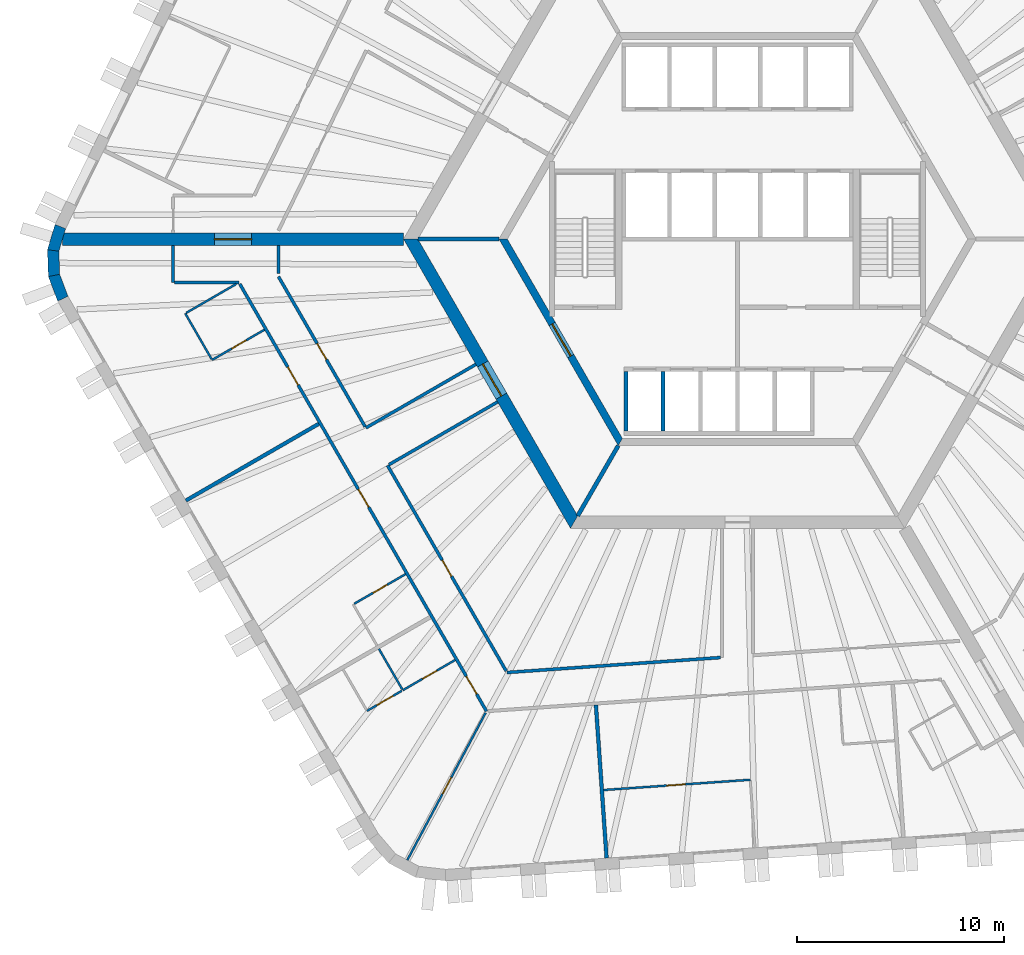
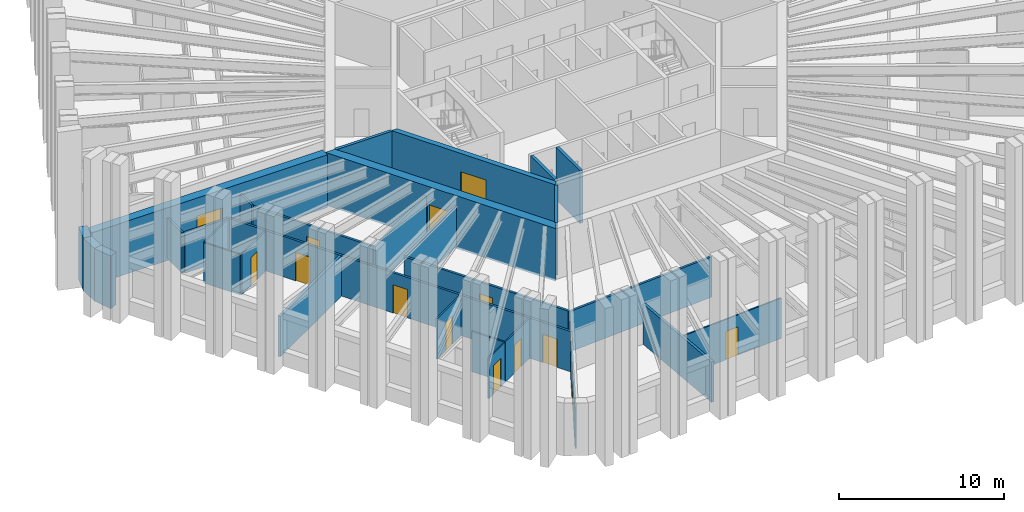
# One storey, part 3 of 13: 30 walls, 14 doors, 14 openings.
"""IFC4 building model written with IfcOpenShell, lengths in metres."""

from ifc_helpers import new_model, si_unit, direction, frame, frame_2d, origin, place, context, subcontext, project, spatial, polyline, rectangle, outline, extrude, material, layer, layer_set, type_object, element, fill, save


model = new_model("IFC4")

# Units and contexts
model_context = context("Model", 3, precision=1e-05, world=origin(), true_north=direction((0.0, 1.0)))
body_context = subcontext(model_context, "Body", "Model", "MODEL_VIEW")
ifc_project = project(units=[si_unit("LENGTHUNIT", "METRE"), si_unit("AREAUNIT", "SQUARE_METRE"), si_unit("VOLUMEUNIT", "CUBIC_METRE"), si_unit("PLANEANGLEUNIT", "RADIAN"), si_unit("MASSUNIT", "GRAM", prefix="KILO")], contexts=[model_context])

# Site, building, storey
site_placement = place(None, origin())
site = spatial("IfcSite", under=ifc_project, at=site_placement, CompositionType="ELEMENT")
building_placement = place(site_placement, origin())
building = spatial("IfcBuilding", under=site, at=building_placement, Name="Tarnside Tower", CompositionType="ELEMENT")
storey_placement = place(building_placement, frame((0.0, 0.0, 111.60009765625)))
storey = spatial("IfcBuildingStorey", under=building, at=storey_placement, Name="L25", CompositionType="ELEMENT", Elevation=111.60009765625)

# Wall, opening, door
ifc_material_1 = material(Name="Gypsum board partition on steel studs", Category="steel")
ifc_layer_1 = layer(ifc_material_1, 0.10009765625)
ifc_layer_set_1 = layer_set([ifc_layer_1], Name="Bathroom wall 100")
wall_type_1 = type_object("IfcWallType", Name="Bathroom wall 100", PredefinedType="PARTITIONING", material=ifc_layer_set_1)
wall_1_placement = place(storey_placement, frame((-22.898193359375, -4.38916015625, 0.0), z_axis=(0.0, 0.0, 1.0), x_axis=(-0.866046596414, -0.499963291492, 0.0)))
wall_1 = element("IfcWall", 1, at=wall_1_placement, inside=storey, type_object=wall_type_1, Name="Bathroom wall 08100", PredefinedType="PARTITIONING", context=body_context, shape_type="SweptSolid", body=[
    extrude(rectangle(XDim=2.925048828125, YDim=0.10009765625, at=frame_2d((1.46240234375, 0.0))), origin(), (0.0, 0.0, 1.0), 2.98779296875),
])
opening_1_placement = place(wall_1_placement, frame((1.02490234375, 0.0, 0.0)))
opening_1 = element("IfcOpeningElement", 2, at=opening_1_placement, cuts=wall_1, Name="Opening D-B1", PredefinedType="OPENING", context=body_context, shape_type="SweptSolid", body=[
    extrude(rectangle(XDim=0.800048828125, YDim=2.10009765625, at=frame_2d((0.39990234375, 1.050048828125))), frame((0.0, 0.06005859375, 0.0), z_axis=(0.0, -1.0, 0.0), x_axis=(1.0, 0.0, 0.0)), (0.0, 0.0, 1.0), 0.1201171875),
])
ifc_material_2 = material(Name="Timber door leaf", Category="wood")
door_type_1 = type_object("IfcDoorType", Name="Bathroom door 800", OperationType="NOTDEFINED", PredefinedType="DOOR", material=ifc_material_2)
door_1_placement = place(opening_1_placement, origin())
door_1 = element("IfcDoor", 3, at=door_1_placement, inside=storey, type_object=door_type_1, Name="Bathroom door 08016", OperationType="SINGLE_SWING_RIGHT", OverallHeight=2.10009765625, OverallWidth=0.800048828125, PredefinedType="DOOR", context=body_context, shape_type="SweptSolid", body=[
    extrude(rectangle(XDim=0.800048828125, YDim=2.10009765625, at=frame_2d((0.39990234375, 1.050048828125))), frame((0.0, 0.02490234375, 0.0), z_axis=(0.0, -1.0, 0.0), x_axis=(1.0, 0.0, 0.0)), (0.0, 0.0, 1.0), 0.050048828125),
])
fill(opening_1, door_1)

# Walls
wall_2_placement = place(storey_placement, frame((-25.456298828125, -5.808349609375, 0.0), z_axis=(0.0, 0.0, 1.0), x_axis=(-0.499990435942, 0.866030925526, 0.0)))
element("IfcWall", 4, at=wall_2_placement, inside=storey, type_object=wall_type_1, Name="Bathroom wall 08101", PredefinedType="PARTITIONING", context=body_context, shape_type="SweptSolid", body=[
    extrude(rectangle(XDim=2.5498046875, YDim=0.10009765625, at=frame_2d((1.27490234375, 0.0))), origin(), (0.0, 0.0, 1.0), 2.98779296875),
])
wall_3_placement = place(storey_placement, frame((-26.68798828125, -3.574951171875, 0.0), z_axis=(0.0, 0.0, 1.0), x_axis=(0.866034573852, 0.49998411664, 0.0)))
element("IfcWall", 5, at=wall_3_placement, inside=storey, type_object=wall_type_1, Name="Bathroom wall 08102", PredefinedType="PARTITIONING", context=body_context, shape_type="SweptSolid", body=[
    extrude(rectangle(XDim=2.7998046875, YDim=0.10009765625, at=frame_2d((1.39990234375, 0.0))), origin(), (0.0, 0.0, 1.0), 2.98779296875),
])

# Wall, opening, door
wall_4_placement = place(storey_placement, frame((-18.55859375, -17.65576171875, 0.0), z_axis=(0.0, 0.0, 1.0), x_axis=(0.866039941686, 0.499974818771, 0.0)))
wall_4 = element("IfcWall", 6, at=wall_4_placement, inside=storey, type_object=wall_type_1, Name="Bathroom wall 08105", PredefinedType="PARTITIONING", context=body_context, shape_type="SweptSolid", body=[
    extrude(rectangle(XDim=2.875244140625, YDim=0.10009765625, at=frame_2d((1.4375, 0.0))), origin(), (0.0, 0.0, 1.0), 2.98779296875),
])
opening_2_placement = place(wall_4_placement, frame((1.050048828125, 0.0, 0.0)))
opening_2 = element("IfcOpeningElement", 7, at=opening_2_placement, cuts=wall_4, Name="Opening D-B1", PredefinedType="OPENING", context=body_context, shape_type="SweptSolid", body=[
    extrude(rectangle(XDim=0.800048828125, YDim=2.10009765625, at=frame_2d((0.39990234375, 1.050048828125))), frame((0.0, 0.06005859375, 0.0), z_axis=(0.0, -1.0, 0.0), x_axis=(1.0, 0.0, 0.0)), (0.0, 0.0, 1.0), 0.1201171875),
])
door_2_placement = place(opening_2_placement, origin())
door_2 = element("IfcDoor", 8, at=door_2_placement, inside=storey, type_object=door_type_1, Name="Bathroom door 08018", OperationType="SINGLE_SWING_LEFT", OverallHeight=2.10009765625, OverallWidth=0.800048828125, PredefinedType="DOOR", context=body_context, shape_type="SweptSolid", body=[
    extrude(rectangle(XDim=0.800048828125, YDim=2.10009765625, at=frame_2d((0.39990234375, 1.050048828125))), frame((0.0, 0.02490234375, 0.0), z_axis=(0.0, -1.0, 0.0), x_axis=(1.0, 0.0, 0.0)), (0.0, 0.0, 1.0), 0.050048828125),
])
fill(opening_2, door_2)

wall_5_placement = place(storey_placement, frame((-13.668701171875, -20.375244140625, 0.0), z_axis=(0.0, 0.0, 1.0), x_axis=(-0.866046596414, -0.499963291492, 0.0)))
wall_5 = element("IfcWall", 9, at=wall_5_placement, inside=storey, type_object=wall_type_1, Name="Bathroom wall 08109", PredefinedType="PARTITIONING", context=body_context, shape_type="SweptSolid", body=[
    extrude(rectangle(XDim=2.925048828125, YDim=0.10009765625, at=frame_2d((1.46240234375, 0.0))), origin(), (0.0, 0.0, 1.0), 2.98779296875),
])
opening_3_placement = place(wall_5_placement, frame((1.02490234375, 0.0, 0.0)))
opening_3 = element("IfcOpeningElement", 10, at=opening_3_placement, cuts=wall_5, Name="Opening D-B1", PredefinedType="OPENING", context=body_context, shape_type="SweptSolid", body=[
    extrude(rectangle(XDim=0.800048828125, YDim=2.10009765625, at=frame_2d((0.39990234375, 1.050048828125))), frame((0.0, 0.06005859375, 0.0), z_axis=(0.0, -1.0, 0.0), x_axis=(1.0, 0.0, 0.0)), (0.0, 0.0, 1.0), 0.1201171875),
])
door_3_placement = place(opening_3_placement, origin())
door_3 = element("IfcDoor", 11, at=door_3_placement, inside=storey, type_object=door_type_1, Name="Bathroom door 08020", OperationType="SINGLE_SWING_RIGHT", OverallHeight=2.10009765625, OverallWidth=0.800048828125, PredefinedType="DOOR", context=body_context, shape_type="SweptSolid", body=[
    extrude(rectangle(XDim=0.800048828125, YDim=2.10009765625, at=frame_2d((0.39990234375, 1.050048828125))), frame((0.0, 0.02490234375, 0.0), z_axis=(0.0, -1.0, 0.0), x_axis=(1.0, 0.0, 0.0)), (0.0, 0.0, 1.0), 0.050048828125),
])
fill(opening_3, door_3)

# Wall
wall_6_placement = place(storey_placement, frame((-17.356689453125, -19.837158203125, 0.0), z_axis=(0.0, 0.0, 1.0), x_axis=(0.49995000081, -0.866054268906, 0.0)))
element("IfcWall", 12, at=wall_6_placement, inside=storey, type_object=wall_type_1, Name="Bathroom wall 08113", PredefinedType="PARTITIONING", context=body_context, shape_type="SweptSolid", body=[
    extrude(rectangle(XDim=2.260009765625, YDim=0.10009765625, at=frame_2d((1.1298828125, 0.0))), origin(), (0.0, 0.0, 1.0), 2.98779296875),
])

# Wall, opening, door
ifc_material_3 = material(Name="Concrete C50/60", Category="concrete")
ifc_layer_2 = layer(ifc_material_3, 0.35009765625)
ifc_layer_set_2 = layer_set([ifc_layer_2], Name="Core block wall 350 C50/60")
wall_type_2 = type_object("IfcWallType", Name="Core block wall 350 C50/60", PredefinedType="SHEAR", material=ifc_layer_set_2)
wall_7_placement = place(storey_placement, frame((-11.344970703125, 0.0, -0.150146484375), z_axis=(0.0, 0.0, 1.0), x_axis=(0.499995046907, -0.866028263435, 0.0)))
wall_7 = element("IfcWall", 13, at=wall_7_placement, inside=storey, type_object=wall_type_2, Name="L25 core block wall face 3", PredefinedType="SHEAR", context=body_context, shape_type="SweptSolid", body=[
    extrude(outline(polyline([(-0.10107421875, -0.175048828125), (11.44580078125, -0.175048828125), (11.24365234375, 0.175048828125), (0.10107421875, 0.175048828125), (-0.10107421875, -0.175048828125)])), origin(), (0.0, 0.0, 1.0), 3.900146484375),
])
opening_4_placement = place(wall_7_placement, frame((4.74365234375, 0.0, 0.14990234375)))
opening_4 = element("IfcOpeningElement", 14, at=opening_4_placement, cuts=wall_7, Name="Opening CD-FFL", PredefinedType="OPENING", context=body_context, shape_type="SweptSolid", body=[
    extrude(rectangle(XDim=1.800048828125, YDim=2.39990234375, at=frame_2d((0.89990234375, 1.199951171875))), frame((0.0, 0.18505859375, 0.0), z_axis=(0.0, -1.0, 0.0), x_axis=(1.0, 0.0, 0.0)), (0.0, 0.0, 1.0), 0.3701171875),
])
ifc_material_4 = material(Name="Steel fire door", Category="steel")
door_type_2 = type_object("IfcDoorType", Name="Firefighting lobby double door FD60S 1800x2400", OperationType="NOTDEFINED", PredefinedType="DOOR", material=ifc_material_4)
door_4_placement = place(opening_4_placement, origin())
door_4 = element("IfcDoor", 15, at=door_4_placement, inside=storey, type_object=door_type_2, Name="L25 lobby block door P3", OperationType="DOUBLE_DOOR_SINGLE_SWING", OverallHeight=2.39990234375, OverallWidth=1.800048828125, PredefinedType="DOOR", context=body_context, shape_type="SweptSolid", body=[
    extrude(rectangle(XDim=1.800048828125, YDim=2.39990234375, at=frame_2d((0.89990234375, 1.199951171875))), frame((0.0, 0.02490234375, 0.0), z_axis=(0.0, -1.0, 0.0), x_axis=(1.0, 0.0, 0.0)), (0.0, 0.0, 1.0), 0.050048828125),
])
fill(opening_4, door_4)

ifc_material_5 = material(Name="Concrete C80/95", Category="concrete")
ifc_layer_3 = layer(ifc_material_5, 0.60009765625)
ifc_layer_set_3 = layer_set([ifc_layer_3], Name="Core wall Z1 600 C80/95")
wall_type_3 = type_object("IfcWallType", Name="Core wall Z1 600 C80/95", PredefinedType="SHEAR", material=ifc_layer_set_3)
wall_8_placement = place(storey_placement, frame((-15.8193359375, 0.0, -0.150146484375), z_axis=(0.0, 0.0, 1.0), x_axis=(0.499999880136, -0.866025472988, 0.0)))
wall_8 = element("IfcWall", 16, at=wall_8_placement, inside=storey, type_object=wall_type_3, Name="L25 core wall face 3", PredefinedType="SHEAR", context=body_context, shape_type="SweptSolid", body=[
    extrude(outline(polyline([(-0.17333984375, -0.300048828125), (15.99267578125, -0.300048828125), (15.64599609375, 0.300048828125), (0.17333984375, 0.300048828125), (-0.17333984375, -0.300048828125)])), origin(), (0.0, 0.0, 1.0), 3.900146484375),
])
opening_5_placement = place(wall_8_placement, frame((6.980712890625, 0.0, 0.14990234375)))
opening_5 = element("IfcOpeningElement", 17, at=opening_5_placement, cuts=wall_8, Name="Opening CD-FFL", PredefinedType="OPENING", context=body_context, shape_type="SweptSolid", body=[
    extrude(rectangle(XDim=1.800048828125, YDim=2.39990234375, at=frame_2d((0.89990234375, 1.199951171875))), frame((0.0, 0.31005859375, 0.0), z_axis=(0.0, -1.0, 0.0), x_axis=(1.0, 0.0, 0.0)), (0.0, 0.0, 1.0), 0.6201171875),
])
door_5_placement = place(opening_5_placement, origin())
door_5 = element("IfcDoor", 18, at=door_5_placement, inside=storey, type_object=door_type_2, Name="L25 core door P3", OperationType="DOUBLE_DOOR_SINGLE_SWING", OverallHeight=2.39990234375, OverallWidth=1.800048828125, PredefinedType="DOOR", context=body_context, shape_type="SweptSolid", body=[
    extrude(rectangle(XDim=1.800048828125, YDim=2.39990234375, at=frame_2d((0.89990234375, 1.199951171875))), frame((0.0, 0.02490234375, 0.0), z_axis=(0.0, -1.0, 0.0), x_axis=(1.0, 0.0, 0.0)), (0.0, 0.0, 1.0), 0.050048828125),
])
fill(opening_5, door_5)

wall_9_placement = place(storey_placement, frame((-16.165771484375, 0.0, -0.150146484375), z_axis=(0.0, 0.0, 1.0), x_axis=(-1.0, 0.0, 0.0)))
wall_9 = element("IfcWall", 19, at=wall_9_placement, inside=storey, type_object=wall_type_3, Name="L25 spine wall 2", PredefinedType="SHEAR", context=body_context, shape_type="SweptSolid", body=[
    extrude(rectangle(XDim=16.509033203125, YDim=0.60009765625, at=frame_2d((8.25439453125, 0.0))), origin(), (0.0, 0.0, 1.0), 3.900146484375),
])
opening_6_placement = place(wall_9_placement, frame((7.3544921875, 0.0, 0.14990234375)))
opening_6 = element("IfcOpeningElement", 20, at=opening_6_placement, cuts=wall_9, Name="Opening CD-SPN", PredefinedType="OPENING", context=body_context, shape_type="SweptSolid", body=[
    extrude(rectangle(XDim=1.800048828125, YDim=2.39990234375, at=frame_2d((0.89990234375, 1.199951171875))), frame((0.0, 0.31005859375, 0.0), z_axis=(0.0, -1.0, 0.0), x_axis=(1.0, 0.0, 0.0)), (0.0, 0.0, 1.0), 0.6201171875),
])
door_type_3 = type_object("IfcDoorType", Name="Spine passage double door FD60 1800x2400", OperationType="NOTDEFINED", PredefinedType="DOOR", material=ifc_material_4)
door_6_placement = place(opening_6_placement, origin())
door_6 = element("IfcDoor", 21, at=door_6_placement, inside=storey, type_object=door_type_3, Name="L25 spine passage door 2", OperationType="DOUBLE_DOOR_SINGLE_SWING", OverallHeight=2.39990234375, OverallWidth=1.800048828125, PredefinedType="DOOR", context=body_context, shape_type="SweptSolid", body=[
    extrude(rectangle(XDim=1.800048828125, YDim=2.39990234375, at=frame_2d((0.89990234375, 1.199951171875))), frame((0.0, 0.02490234375, 0.0), z_axis=(0.0, -1.0, 0.0), x_axis=(1.0, 0.0, 0.0)), (0.0, 0.0, 1.0), 0.050048828125),
])
fill(opening_6, door_6)

# Walls
ifc_layer_4 = layer(ifc_material_1, 0.14990234375)
ifc_layer_set_4 = layer_set([ifc_layer_4], Name="Corridor wall 150 EI 60")
wall_type_4 = type_object("IfcWallType", Name="Corridor wall 150 EI 60", PredefinedType="PARTITIONING", material=ifc_layer_set_4)
wall_10_placement = place(storey_placement, frame((-27.3203125, -0.300048828125, 0.0), z_axis=(0.0, 0.0, 1.0), x_axis=(0.0, -1.0, 0.0)))
element("IfcWall", 22, at=wall_10_placement, inside=storey, type_object=wall_type_4, Name="Corridor wall 08025", PredefinedType="PARTITIONING", context=body_context, shape_type="SweptSolid", body=[
    extrude(rectangle(XDim=1.800048828125, YDim=0.14990234375, at=frame_2d((0.89990234375, 0.0))), origin(), (0.0, 0.0, 1.0), 2.98779296875),
])
wall_11_placement = place(storey_placement, frame((-27.245361328125, -2.10009765625, 0.0), z_axis=(0.0, 0.0, 1.0), x_axis=(1.0, 0.0, 0.0)))
element("IfcWall", 23, at=wall_11_placement, inside=storey, type_object=wall_type_4, Name="Corridor wall 08026", PredefinedType="PARTITIONING", context=body_context, shape_type="SweptSolid", body=[
    extrude(rectangle(XDim=3.112060546875, YDim=0.14990234375, at=frame_2d((1.55615234375, 0.0))), origin(), (0.0, 0.0, 1.0), 2.98779296875),
])

# Wall, openings, doors
wall_12_placement = place(storey_placement, frame((-24.08984375, -2.175048828125, 0.0), z_axis=(0.0, 0.0, 1.0), x_axis=(0.499996832073, -0.86602723278, 0.0)))
wall_12 = element("IfcWall", 24, at=wall_12_placement, inside=storey, type_object=wall_type_4, Name="Corridor wall 08027", PredefinedType="PARTITIONING", context=body_context, shape_type="SweptSolid", body=[
    extrude(rectangle(XDim=23.877197265625, YDim=0.14990234375, at=frame_2d((11.9384765625, 0.0))), origin(), (0.0, 0.0, 1.0), 2.98779296875),
])
opening_7_placement = place(wall_12_placement, frame((4.642822265625, 0.0, 0.0)))
opening_7 = element("IfcOpeningElement", 25, at=opening_7_placement, cuts=wall_12, Name="Opening D-E1", PredefinedType="OPENING", context=body_context, shape_type="SweptSolid", body=[
    extrude(rectangle(XDim=1.0, YDim=2.10009765625, at=frame_2d((0.5, 1.050048828125))), frame((0.0, 0.0849609375, 0.0), z_axis=(0.0, -1.0, 0.0), x_axis=(1.0, 0.0, 0.0)), (0.0, 0.0, 1.0), 0.169921875),
])
opening_8_placement = place(wall_12_placement, frame((11.472412109375, 0.0, 0.0)))
opening_8 = element("IfcOpeningElement", 26, at=opening_8_placement, cuts=wall_12, Name="Opening D-E1", PredefinedType="OPENING", context=body_context, shape_type="SweptSolid", body=[
    extrude(rectangle(XDim=1.0, YDim=2.10009765625, at=frame_2d((0.5, 1.050048828125))), frame((0.0, 0.0849609375, 0.0), z_axis=(0.0, -1.0, 0.0), x_axis=(1.0, 0.0, 0.0)), (0.0, 0.0, 1.0), 0.169921875),
])
opening_9_placement = place(wall_12_placement, frame((21.9248046875, 0.0, 0.0)))
opening_9 = element("IfcOpeningElement", 27, at=opening_9_placement, cuts=wall_12, Name="Opening D-E1", PredefinedType="OPENING", context=body_context, shape_type="SweptSolid", body=[
    extrude(rectangle(XDim=1.0, YDim=2.10009765625, at=frame_2d((0.5, 1.050048828125))), frame((0.0, 0.0849609375, 0.0), z_axis=(0.0, -1.0, 0.0), x_axis=(1.0, 0.0, 0.0)), (0.0, 0.0, 1.0), 0.169921875),
])
door_type_4 = type_object("IfcDoorType", Name="Unit entrance door 1000 FD30S", OperationType="NOTDEFINED", PredefinedType="DOOR", material=ifc_material_2)
door_7_placement = place(opening_7_placement, origin())
door_7 = element("IfcDoor", 28, at=door_7_placement, inside=storey, type_object=door_type_4, Name="Unit door 08015", OperationType="SINGLE_SWING_RIGHT", OverallHeight=2.10009765625, OverallWidth=1.0, PredefinedType="DOOR", context=body_context, shape_type="SweptSolid", body=[
    extrude(rectangle(XDim=1.0, YDim=2.10009765625, at=frame_2d((0.5, 1.050048828125))), frame((0.0, 0.02490234375, 0.0), z_axis=(0.0, -1.0, 0.0), x_axis=(1.0, 0.0, 0.0)), (0.0, 0.0, 1.0), 0.050048828125),
])
fill(opening_7, door_7)
door_8_placement = place(opening_8_placement, origin())
door_8 = element("IfcDoor", 29, at=door_8_placement, inside=storey, type_object=door_type_4, Name="Unit door 08017", OperationType="SINGLE_SWING_RIGHT", OverallHeight=2.10009765625, OverallWidth=1.0, PredefinedType="DOOR", context=body_context, shape_type="SweptSolid", body=[
    extrude(rectangle(XDim=1.0, YDim=2.10009765625, at=frame_2d((0.5, 1.050048828125))), frame((0.0, 0.02490234375, 0.0), z_axis=(0.0, -1.0, 0.0), x_axis=(1.0, 0.0, 0.0)), (0.0, 0.0, 1.0), 0.050048828125),
])
fill(opening_8, door_8)
door_9_placement = place(opening_9_placement, origin())
door_9 = element("IfcDoor", 30, at=door_9_placement, inside=storey, type_object=door_type_4, Name="Unit door 08019", OperationType="SINGLE_SWING_RIGHT", OverallHeight=2.10009765625, OverallWidth=1.0, PredefinedType="DOOR", context=body_context, shape_type="SweptSolid", body=[
    extrude(rectangle(XDim=1.0, YDim=2.10009765625, at=frame_2d((0.5, 1.050048828125))), frame((0.0, 0.02490234375, 0.0), z_axis=(0.0, -1.0, 0.0), x_axis=(1.0, 0.0, 0.0)), (0.0, 0.0, 1.0), 0.050048828125),
])
fill(opening_9, door_9)

# Wall
wall_13_placement = place(storey_placement, frame((-12.663818359375, -6.065673828125, 0.0), z_axis=(0.0, 0.0, 1.0), x_axis=(-0.866023618125, -0.500003092839, 0.0)))
element("IfcWall", 31, at=wall_13_placement, inside=storey, type_object=wall_type_4, Name="Corridor wall 08041", PredefinedType="PARTITIONING", context=body_context, shape_type="SweptSolid", body=[
    extrude(rectangle(XDim=6.14990234375, YDim=0.14990234375, at=frame_2d((3.074951171875, 0.0))), origin(), (0.0, 0.0, 1.0), 2.98779296875),
])

# Wall, opening, door
wall_14_placement = place(storey_placement, frame((-18.02734375, -9.07568359375, 0.0), z_axis=(0.0, 0.0, 1.0), x_axis=(-0.500007318041, 0.86602117867, 0.0)))
wall_14 = element("IfcWall", 32, at=wall_14_placement, inside=storey, type_object=wall_type_4, Name="Corridor wall 08042", PredefinedType="PARTITIONING", context=body_context, shape_type="SweptSolid", body=[
    extrude(rectangle(XDim=8.383056640625, YDim=0.14990234375, at=frame_2d((4.19140625, 0.0))), origin(), (0.0, 0.0, 1.0), 2.98779296875),
])
opening_10_placement = place(wall_14_placement, frame((3.74169921875, 0.0, 0.0)))
opening_10 = element("IfcOpeningElement", 33, at=opening_10_placement, cuts=wall_14, Name="Opening D-S1", PredefinedType="OPENING", context=body_context, shape_type="SweptSolid", body=[
    extrude(rectangle(XDim=0.89990234375, YDim=2.10009765625, at=frame_2d((0.449951171875, 1.050048828125))), frame((0.0, 0.0849609375, 0.0), z_axis=(0.0, -1.0, 0.0), x_axis=(1.0, 0.0, 0.0)), (0.0, 0.0, 1.0), 0.169921875),
])
door_type_5 = type_object("IfcDoorType", Name="Service room door 900 FD30S", OperationType="NOTDEFINED", PredefinedType="DOOR", material=ifc_material_2)
door_10_placement = place(opening_10_placement, origin())
door_10 = element("IfcDoor", 34, at=door_10_placement, inside=storey, type_object=door_type_5, Name="Service door 08043", OperationType="SINGLE_SWING_RIGHT", OverallHeight=2.10009765625, OverallWidth=0.89990234375, PredefinedType="DOOR", context=body_context, shape_type="SweptSolid", body=[
    extrude(rectangle(XDim=0.89990234375, YDim=2.10009765625, at=frame_2d((0.449951171875, 1.050048828125))), frame((0.0, 0.02490234375, 0.0), z_axis=(0.0, -1.0, 0.0), x_axis=(1.0, 0.0, 0.0)), (0.0, 0.0, 1.0), 0.050048828125),
])
fill(opening_10, door_10)

# Walls
wall_15_placement = place(storey_placement, frame((-22.218994140625, -1.665771484375, 0.0), z_axis=(0.0, 0.0, 1.0), x_axis=(0.0, 1.0, 0.0)))
element("IfcWall", 35, at=wall_15_placement, inside=storey, type_object=wall_type_4, Name="Corridor wall 08043", PredefinedType="PARTITIONING", context=body_context, shape_type="SweptSolid", body=[
    extrude(rectangle(XDim=1.36572265625, YDim=0.14990234375, at=frame_2d((0.682861328125, 0.0))), origin(), (0.0, 0.0, 1.0), 2.98779296875),
])
wall_16_placement = place(storey_placement, frame((-0.824951171875, -20.2568359375, 0.0), z_axis=(0.0, 0.0, 1.0), x_axis=(-0.9975635143, -0.069764137903, 0.0)))
element("IfcWall", 36, at=wall_16_placement, inside=storey, type_object=wall_type_4, Name="Corridor wall 08045", PredefinedType="PARTITIONING", context=body_context, shape_type="SweptSolid", body=[
    extrude(rectangle(XDim=10.35498046875, YDim=0.14990234375, at=frame_2d((5.177490234375, 0.0))), origin(), (0.0, 0.0, 1.0), 2.98779296875),
])

# Wall, opening, door
wall_17_placement = place(storey_placement, frame((-11.196533203125, -20.906982421875, 0.0), z_axis=(0.0, 0.0, 1.0), x_axis=(-0.500004557924, 0.86602277225, 0.0)))
wall_17 = element("IfcWall", 37, at=wall_17_placement, inside=storey, type_object=wall_type_4, Name="Corridor wall 08046", PredefinedType="PARTITIONING", context=body_context, shape_type="SweptSolid", body=[
    extrude(rectangle(XDim=11.48681640625, YDim=0.14990234375, at=frame_2d((5.743408203125, 0.0))), origin(), (0.0, 0.0, 1.0), 2.98779296875),
])
opening_11_placement = place(wall_17_placement, frame((5.293212890625, 0.0, 0.0)))
opening_11 = element("IfcOpeningElement", 38, at=opening_11_placement, cuts=wall_17, Name="Opening D-S1", PredefinedType="OPENING", context=body_context, shape_type="SweptSolid", body=[
    extrude(rectangle(XDim=0.89990234375, YDim=2.10009765625, at=frame_2d((0.449951171875, 1.050048828125))), frame((0.0, 0.0849609375, 0.0), z_axis=(0.0, -1.0, 0.0), x_axis=(1.0, 0.0, 0.0)), (0.0, 0.0, 1.0), 0.169921875),
])
door_11_placement = place(opening_11_placement, origin())
door_11 = element("IfcDoor", 39, at=door_11_placement, inside=storey, type_object=door_type_5, Name="Service door 08044", OperationType="SINGLE_SWING_RIGHT", OverallHeight=2.10009765625, OverallWidth=0.89990234375, PredefinedType="DOOR", context=body_context, shape_type="SweptSolid", body=[
    extrude(rectangle(XDim=0.89990234375, YDim=2.10009765625, at=frame_2d((0.449951171875, 1.050048828125))), frame((0.0, 0.02490234375, 0.0), z_axis=(0.0, -1.0, 0.0), x_axis=(1.0, 0.0, 0.0)), (0.0, 0.0, 1.0), 0.050048828125),
])
fill(opening_11, door_11)

# Walls
wall_18_placement = place(storey_placement, frame((-16.875, -10.921875, 0.0), z_axis=(0.0, 0.0, 1.0), x_axis=(0.866023634079, 0.500003065207, 0.0)))
element("IfcWall", 40, at=wall_18_placement, inside=storey, type_object=wall_type_4, Name="Corridor wall 08047", PredefinedType="PARTITIONING", context=body_context, shape_type="SweptSolid", body=[
    extrude(rectangle(XDim=6.0751953125, YDim=0.14990234375, at=frame_2d((3.03759765625, 0.0))), origin(), (0.0, 0.0, 1.0), 2.98779296875),
])
ifc_layer_5 = layer(ifc_material_1, 0.179931640625)
ifc_layer_set_5 = layer_set([ifc_layer_5], Name="Demising wall 180 EI 60")
wall_type_5 = type_object("IfcWallType", Name="Demising wall 180 EI 60", PredefinedType="PARTITIONING", material=ifc_layer_set_5)
wall_19_placement = place(storey_placement, frame((-26.698974609375, -12.656005859375, 0.0), z_axis=(0.0, 0.0, 1.0), x_axis=(0.866028983062, 0.499993800457, 0.0)))
element("IfcWall", 41, at=wall_19_placement, inside=storey, type_object=wall_type_5, Name="Demising wall 08103", PredefinedType="PARTITIONING", context=body_context, shape_type="SweptSolid", body=[
    extrude(rectangle(XDim=7.4248046875, YDim=0.179931640625, at=frame_2d((3.71240234375, 0.0))), origin(), (0.0, 0.0, 1.0), 2.98779296875),
])
wall_20_placement = place(storey_placement, frame((-6.336181640625, -29.965087890625, 0.0), z_axis=(0.0, 0.0, 1.0), x_axis=(-0.06977252161, 0.997562927954, 0.0)))
element("IfcWall", 42, at=wall_20_placement, inside=storey, type_object=wall_type_5, Name="Demising wall 08114", PredefinedType="PARTITIONING", context=body_context, shape_type="SweptSolid", body=[
    extrude(rectangle(XDim=7.425048828125, YDim=0.179931640625, at=frame_2d((3.71240234375, 0.0))), origin(), (0.0, 0.0, 1.0), 2.98779296875),
])
ifc_material_6 = material(Name="Concrete C40/50", Category="concrete")
ifc_layer_6 = layer(ifc_material_6, 0.199951171875)
ifc_layer_set_6 = layer_set([ifc_layer_6], Name="Lift shaft wall 200 C40/50")
wall_type_6 = type_object("IfcWallType", Name="Lift shaft wall 200 C40/50", PredefinedType="SHEAR", material=ifc_layer_set_6)
for number, where, z_axis, x_axis, name in (
    (43, (-5.39990234375, -9.300048828125, -0.25), (0.0, 0.0, 1.0), (0.0, 1.0, 0.0), "L25 lift shaft partition R41"),
    (44, (-3.60009765625, -9.300048828125, -0.25), (0.0, 0.0, 1.0), (0.0, 1.0, 0.0), "L25 lift shaft partition R42"),
):
    element("IfcWall", number, at=place(storey_placement, frame(where, z_axis=z_axis, x_axis=x_axis)), inside=storey, type_object=wall_type_6, Name=name, PredefinedType="SHEAR", context=body_context, shape_type="SweptSolid", body=[
        extrude(rectangle(XDim=2.900146484375, YDim=0.199951171875, at=frame_2d((1.4501953125, 0.0))), origin(), (0.0, 0.0, 1.0), 3.89990234375),
    ])
wall_21_placement = place(storey_placement, frame((-11.547119140625, 0.0, -0.150146484375), z_axis=(0.0, 0.0, 1.0), x_axis=(-1.0, 0.0, 0.0)))
element("IfcWall", 45, at=wall_21_placement, inside=storey, type_object=wall_type_6, Name="L25 core partition AR180", PredefinedType="SHEAR", context=body_context, shape_type="SweptSolid", body=[
    extrude(rectangle(XDim=3.92578125, YDim=0.199951171875, at=frame_2d((1.962890625, 0.0))), origin(), (0.0, 0.0, 1.0), 3.900146484375),
])
wall_22_placement = place(storey_placement, frame((-5.7734375, -10.0, -0.150146484375), z_axis=(0.0, 0.0, 1.0), x_axis=(-0.500038251005, -0.86600331843, 0.0)))
element("IfcWall", 46, at=wall_22_placement, inside=storey, type_object=wall_type_6, Name="L25 core partition AR240", PredefinedType="SHEAR", context=body_context, shape_type="SweptSolid", body=[
    extrude(rectangle(XDim=3.926025390625, YDim=0.199951171875, at=frame_2d((1.962890625, 0.0))), origin(), (0.0, 0.0, 1.0), 3.900146484375),
])

# Wall, opening, door
ifc_layer_7 = layer(ifc_material_1, 0.10009765625)
ifc_layer_set_7 = layer_set([ifc_layer_7], Name="Partition 100")
wall_type_7 = type_object("IfcWallType", Name="Partition 100", PredefinedType="PARTITIONING", material=ifc_layer_set_7)
wall_23_placement = place(storey_placement, frame((-16.2451171875, -21.862548828125, 0.0), z_axis=(0.0, 0.0, 1.0), x_axis=(-0.866000020948, -0.500043961785, 0.0)))
wall_23 = element("IfcWall", 47, at=wall_23_placement, inside=storey, type_object=wall_type_7, Name="Partition wall 08110", PredefinedType="PARTITIONING", context=body_context, shape_type="SweptSolid", body=[
    extrude(rectangle(XDim=1.949951171875, YDim=0.10009765625, at=frame_2d((0.97509765625, 0.0))), origin(), (0.0, 0.0, 1.0), 2.98779296875),
])
opening_12_placement = place(wall_23_placement, frame((0.5, 0.0, 0.0)))
opening_12 = element("IfcOpeningElement", 48, at=opening_12_placement, cuts=wall_23, Name="Opening D-I1", PredefinedType="OPENING", context=body_context, shape_type="SweptSolid", body=[
    extrude(rectangle(XDim=0.89990234375, YDim=2.10009765625, at=frame_2d((0.449951171875, 1.050048828125))), frame((0.0, 0.06005859375, 0.0), z_axis=(0.0, -1.0, 0.0), x_axis=(1.0, 0.0, 0.0)), (0.0, 0.0, 1.0), 0.1201171875),
])
door_type_6 = type_object("IfcDoorType", Name="Internal door 900", OperationType="NOTDEFINED", PredefinedType="DOOR", material=ifc_material_2)
door_12_placement = place(opening_12_placement, origin())
door_12 = element("IfcDoor", 49, at=door_12_placement, inside=storey, type_object=door_type_6, Name="Internal door 08021", OperationType="SINGLE_SWING_RIGHT", OverallHeight=2.10009765625, OverallWidth=0.89990234375, PredefinedType="DOOR", context=body_context, shape_type="SweptSolid", body=[
    extrude(rectangle(XDim=0.89990234375, YDim=2.10009765625, at=frame_2d((0.449951171875, 1.050048828125))), frame((0.0, 0.02490234375, 0.0), z_axis=(0.0, -1.0, 0.0), x_axis=(1.0, 0.0, 0.0)), (0.0, 0.0, 1.0), 0.050048828125),
])
fill(opening_12, door_12)

wall_24_placement = place(storey_placement, frame((-15.98291015625, -30.059326171875, 0.0), z_axis=(0.0, 0.0, 1.0), x_axis=(0.469476547643, 0.882944942346, 0.0)))
wall_24 = element("IfcWall", 50, at=wall_24_placement, inside=storey, type_object=wall_type_7, Name="Partition wall 08112", PredefinedType="PARTITIONING", context=body_context, shape_type="SweptSolid", body=[
    extrude(rectangle(XDim=8.072998046875, YDim=0.10009765625, at=frame_2d((4.03662109375, 0.0))), origin(), (0.0, 0.0, 1.0), 2.98779296875),
])
opening_13_placement = place(wall_24_placement, frame((3.630615234375, 0.0, 0.0)))
opening_13 = element("IfcOpeningElement", 51, at=opening_13_placement, cuts=wall_24, Name="Opening D-I1", PredefinedType="OPENING", context=body_context, shape_type="SweptSolid", body=[
    extrude(rectangle(XDim=0.89990234375, YDim=2.10009765625, at=frame_2d((0.449951171875, 1.050048828125))), frame((0.0, 0.06005859375, 0.0), z_axis=(0.0, -1.0, 0.0), x_axis=(1.0, 0.0, 0.0)), (0.0, 0.0, 1.0), 0.1201171875),
])
door_13_placement = place(opening_13_placement, origin())
door_13 = element("IfcDoor", 52, at=door_13_placement, inside=storey, type_object=door_type_6, Name="Internal door 08022", OperationType="SINGLE_SWING_LEFT", OverallHeight=2.10009765625, OverallWidth=0.89990234375, PredefinedType="DOOR", context=body_context, shape_type="SweptSolid", body=[
    extrude(rectangle(XDim=0.89990234375, YDim=2.10009765625, at=frame_2d((0.449951171875, 1.050048828125))), frame((0.0, 0.02490234375, 0.0), z_axis=(0.0, -1.0, 0.0), x_axis=(1.0, 0.0, 0.0)), (0.0, 0.0, 1.0), 0.050048828125),
])
fill(opening_13, door_13)

wall_25_placement = place(storey_placement, frame((-6.476806640625, -26.666748046875, 0.0), z_axis=(0.0, 0.0, 1.0), x_axis=(0.997565277642, 0.069738919141, 0.0)))
wall_25 = element("IfcWall", 53, at=wall_25_placement, inside=storey, type_object=wall_type_7, Name="Partition wall 08118", PredefinedType="PARTITIONING", context=body_context, shape_type="SweptSolid", body=[
    extrude(rectangle(XDim=7.110107421875, YDim=0.10009765625, at=frame_2d((3.55517578125, 0.0))), origin(), (0.0, 0.0, 1.0), 2.98779296875),
])
opening_14_placement = place(wall_25_placement, frame((3.06005859375, 0.0, 0.0)))
opening_14 = element("IfcOpeningElement", 54, at=opening_14_placement, cuts=wall_25, Name="Opening D-I1", PredefinedType="OPENING", context=body_context, shape_type="SweptSolid", body=[
    extrude(rectangle(XDim=0.89990234375, YDim=2.10009765625, at=frame_2d((0.449951171875, 1.050048828125))), frame((0.0, 0.06005859375, 0.0), z_axis=(0.0, -1.0, 0.0), x_axis=(1.0, 0.0, 0.0)), (0.0, 0.0, 1.0), 0.1201171875),
])
door_14_placement = place(opening_14_placement, origin())
door_14 = element("IfcDoor", 55, at=door_14_placement, inside=storey, type_object=door_type_6, Name="Internal door 08025", OperationType="SINGLE_SWING_RIGHT", OverallHeight=2.10009765625, OverallWidth=0.89990234375, PredefinedType="DOOR", context=body_context, shape_type="SweptSolid", body=[
    extrude(rectangle(XDim=0.89990234375, YDim=2.10009765625, at=frame_2d((0.449951171875, 1.050048828125))), frame((0.0, 0.02490234375, 0.0), z_axis=(0.0, -1.0, 0.0), x_axis=(1.0, 0.0, 0.0)), (0.0, 0.0, 1.0), 0.050048828125),
])
fill(opening_14, door_14)

# Walls
ifc_material_7 = material(Name="Facing brick", Category="masonry")
ifc_layer_8 = layer(ifc_material_7, 0.10205078125)
ifc_material_8 = material(Name="Concrete C60/75 precast", Category="concrete")
ifc_layer_9 = layer(ifc_material_8, 0.347900390625)
ifc_material_9 = material(Name="Mineral wool insulation")
ifc_layer_10 = layer(ifc_material_9, 0.10009765625)
ifc_layer_set_8 = layer_set([ifc_layer_8, ifc_layer_9, ifc_layer_10], Name="Tube wall 550 brick faced")
wall_type_8 = type_object("IfcWallType", Name="Tube wall 550 brick faced", PredefinedType="SOLIDWALL", material=ifc_layer_set_8)
wall_26_placement = place(storey_placement, frame((-32.77685546875, 0.605224609375, -0.150146484375), z_axis=(0.0, 0.0, 1.0), x_axis=(-0.286921497463, -0.957954098219, 0.0)))
element("IfcWall", 56, at=wall_26_placement, inside=storey, type_object=wall_type_8, Name="Tube wall L25 F2 chord 05", PredefinedType="SOLIDWALL", context=body_context, shape_type="SweptSolid", body=[
    extrude(outline(polyline([(-0.0224609375, -0.27490234375), (1.25341796875, -0.27490234375), (1.1630859375, 0.27490234375), (0.0224609375, 0.27490234375), (-0.0224609375, -0.27490234375)])), origin(), (0.0, 0.0, 1.0), 3.900146484375),
])
wall_27_placement = place(storey_placement, frame((-33.12353515625, -0.55224609375, -0.150146484375), z_axis=(0.0, 0.0, 1.0), x_axis=(0.03495638276, -0.999388838893, 0.0)))
element("IfcWall", 57, at=wall_27_placement, inside=storey, type_object=wall_type_8, Name="Tube wall L25 F2 chord 06", PredefinedType="SOLIDWALL", context=body_context, shape_type="SweptSolid", body=[
    extrude(outline(polyline([(-0.045166015625, -0.27490234375), (1.25341796875, -0.27490234375), (1.1630859375, 0.27490234375), (0.045166015625, 0.27490234375), (-0.045166015625, -0.27490234375)])), origin(), (0.0, 0.0, 1.0), 3.900146484375),
])
wall_28_placement = place(storey_placement, frame((-33.081298828125, -1.759765625, -0.150146484375), z_axis=(0.0, 0.0, 1.0), x_axis=(0.353027214741, -0.935613053378, 0.0)))
element("IfcWall", 58, at=wall_28_placement, inside=storey, type_object=wall_type_8, Name="Tube wall L25 F2 chord 07", PredefinedType="SOLIDWALL", context=body_context, shape_type="SweptSolid", body=[
    extrude(outline(polyline([(-0.045166015625, -0.27490234375), (1.230712890625, -0.27490234375), (1.185791015625, 0.27490234375), (0.045166015625, 0.27490234375), (-0.045166015625, -0.27490234375)])), origin(), (0.0, 0.0, 1.0), 3.900146484375),
])

save(model, "model.ifc")
